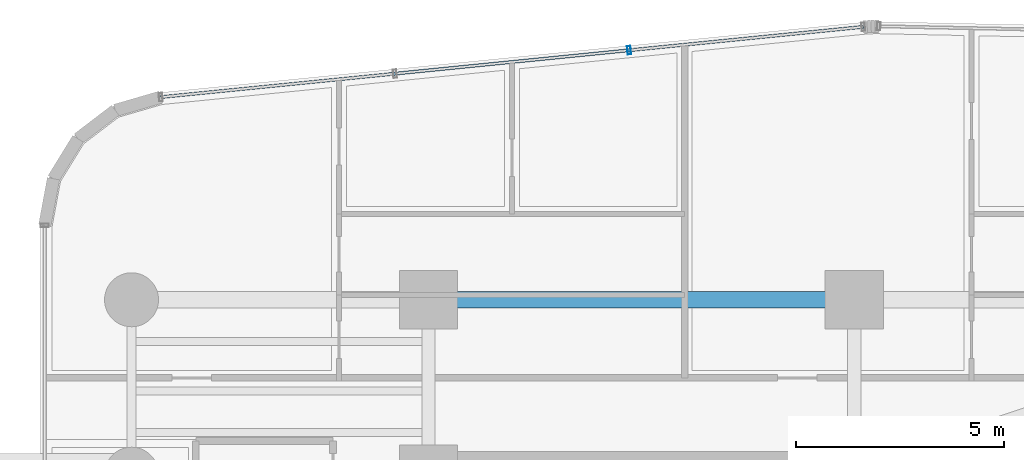
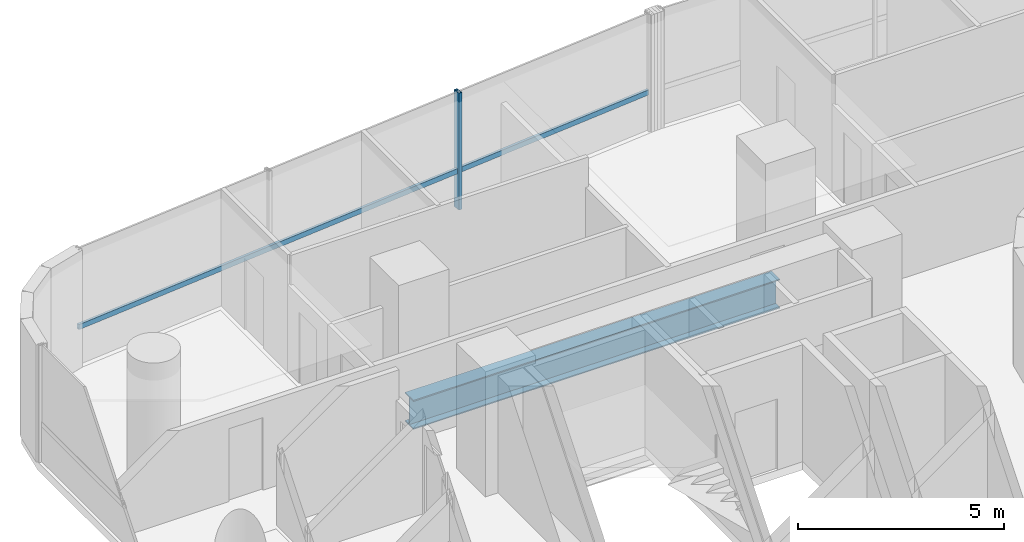
# One storey, part 18 of 40: 2 members, 1 beam, 1 element without a shape of its own.
"""IFC4 building model written with IfcOpenShell, lengths in metres."""

from ifc_helpers import new_model, si_unit, direction, frame, origin, origin_2d, place, context, subcontext, project, spatial, hollow_rectangle, i_section, extrude, source, transform, mapped, material, material_profile, profile_set, type_object, element, aggregate, save


model = new_model("IFC4")

# Units and contexts
model_context = context("Model", 3, precision=1e-05, world=origin(), true_north=direction((0.0, 1.0)))
body_context = subcontext(model_context, "Body", "Model", "MODEL_VIEW")
ifc_project = project(units=[si_unit("LENGTHUNIT", "METRE"), si_unit("AREAUNIT", "SQUARE_METRE"), si_unit("VOLUMEUNIT", "CUBIC_METRE"), si_unit("PLANEANGLEUNIT", "RADIAN"), si_unit("MASSUNIT", "GRAM", prefix="KILO")], contexts=[model_context])

# Site, building, storey
site_placement = place(None, origin())
site = spatial("IfcSite", under=ifc_project, at=site_placement, CompositionType="ELEMENT")
building_placement = place(site_placement, origin())
building = spatial("IfcBuilding", under=site, at=building_placement, Name="Valdorenza Pilgrim Sanctuary Tower", CompositionType="ELEMENT")
storey_placement = place(building_placement, frame((0.0, 0.0, 40.800048828125)))
storey = spatial("IfcBuildingStorey", under=building, at=storey_placement, Name="L09", CompositionType="ELEMENT", Elevation=40.800048828125)

# Beam
ifc_material_1 = material(Name="Steel ASTM A992 Grade 50", Category="steel")
ifc_material_profile_1 = material_profile(ifc_material_1, i_section(OverallWidth=0.39990234375, OverallDepth=0.862060546875, WebThickness=0.019775390625, FlangeThickness=0.032470703125, at=origin_2d()), Name="W33X221")
ifc_profile_set_1 = profile_set([ifc_material_profile_1], Name="Steel ASTM A992 Grade 50")
beam_type = type_object("IfcBeamType", Name="STR-BM-GRD-W33", PredefinedType="BEAM", material=ifc_profile_set_1)
shared_shape_1 = source(origin(), body_context, "Body", "SweptSolid", [
    extrude(i_section(OverallWidth=0.39990234375, OverallDepth=0.862060546875, WebThickness=0.019775390625, FlangeThickness=0.032470703125, at=origin_2d()), origin(), (0.0, 0.0, 1.0), 10.25),
])
beam_placement = place(storey_placement, frame((-22.64990234375, 14.800048828125, -0.671142578125), z_axis=(1.0, 0.0, 0.0), x_axis=(0.0, 1.0, 0.0)))
element("IfcBeam", 1, at=beam_placement, inside=storey, type_object=beam_type, Name="L09 Floor Girder CA-XC-N2", PredefinedType="BEAM", context=body_context, shape_type="MappedRepresentation", body=[
    mapped(shared_shape_1, transform((0.0, 0.0, 0.0), x_axis=(1.0, 0.0, 0.0), y_axis=(0.0, 1.0, 0.0), z_axis=(0.0, 0.0, 1.0), scale=1.0)),
])

# Curtain wall, members
ifc_material_2 = material(Name="Curtain-wall IGU glazing", Category="glass")
curtain_wall_type = type_object("IfcCurtainWallType", Name="CW-SYS-02", PredefinedType="NOTDEFINED", material=ifc_material_2)
curtain_wall_placement = place(storey_placement, origin())
curtain_wall = element("IfcCurtainWall", 2, at=curtain_wall_placement, inside=storey, type_object=curtain_wall_type, Name="L09 Curtain Wall CW-L09-1-6", PredefinedType="NOTDEFINED")
ifc_material_3 = material(Name="Anodised aluminium AW-6060", Category="aluminium")
ifc_material_profile_2 = material_profile(ifc_material_3, hollow_rectangle(XDim=0.0849609375, YDim=0.199951171875, WallThickness=0.0048828125, at=origin_2d()), Name="ALU-M 200x85x5")
ifc_profile_set_2 = profile_set([ifc_material_profile_2], Name="Anodised aluminium AW-6060")
member_type_1 = type_object("IfcMemberType", Name="CW-MUL-02", PredefinedType="MULLION", material=ifc_profile_set_2)
shared_shape_2 = source(origin(), body_context, "Body", "SweptSolid", [
    extrude(hollow_rectangle(XDim=0.0849609375, YDim=0.199951171875, WallThickness=0.0048828125, at=origin_2d()), origin(), (0.0, 0.0, 1.0), 3.4599609375),
])
member_1_placement = place(storey_placement, frame((-17.820556640625, 20.8076171875, 0.0), z_axis=(0.0, 0.0, 1.0), x_axis=(0.995038220239, 0.099493418189, 0.0)))
member_1 = element("IfcMember", 3, at=member_1_placement, type_object=member_type_1, Name="CW-L09-1-6 Mullion 3", PredefinedType="MULLION", context=body_context, shape_type="MappedRepresentation", body=[
    mapped(shared_shape_2, transform((0.0, 0.0, 0.0), x_axis=(1.0, 0.0, 0.0), y_axis=(0.0, 1.0, 0.0), z_axis=(0.0, 0.0, 1.0), scale=1.0)),
])
ifc_material_profile_3 = material_profile(ifc_material_3, hollow_rectangle(XDim=0.074951171875, YDim=0.14990234375, WallThickness=0.00390625, at=origin_2d()), Name="ALU-T 150x75x4")
ifc_profile_set_3 = profile_set([ifc_material_profile_3], Name="Anodised aluminium AW-6060")
member_type_2 = type_object("IfcMemberType", Name="CW-TRN-02", PredefinedType="USERDEFINED", material=ifc_profile_set_3)
shared_shape_3 = source(origin(), body_context, "Body", "SweptSolid", [
    extrude(hollow_rectangle(XDim=0.074951171875, YDim=0.14990234375, WallThickness=0.00390625, at=origin_2d()), origin(), (0.0, 0.0, 1.0), 17.0),
])
member_2_placement = place(storey_placement, frame((-29.097412109375, 19.6796875, 1.119873046875), z_axis=(0.99503662143, 0.099509406661, 0.0), x_axis=(-0.099509406661, 0.99503662143, 0.0)))
member_2 = element("IfcMember", 4, at=member_2_placement, type_object=member_type_2, Name="CW-L09-1-6 Transom 1", ObjectType="TRANSOM", PredefinedType="USERDEFINED", context=body_context, shape_type="MappedRepresentation", body=[
    mapped(shared_shape_3, transform((0.0, 0.0, 0.0), x_axis=(1.0, 0.0, 0.0), y_axis=(0.0, 1.0, 0.0), z_axis=(0.0, 0.0, 1.0), scale=1.0)),
])
aggregate(curtain_wall, [member_1, member_2])

save(model, "model.ifc")
